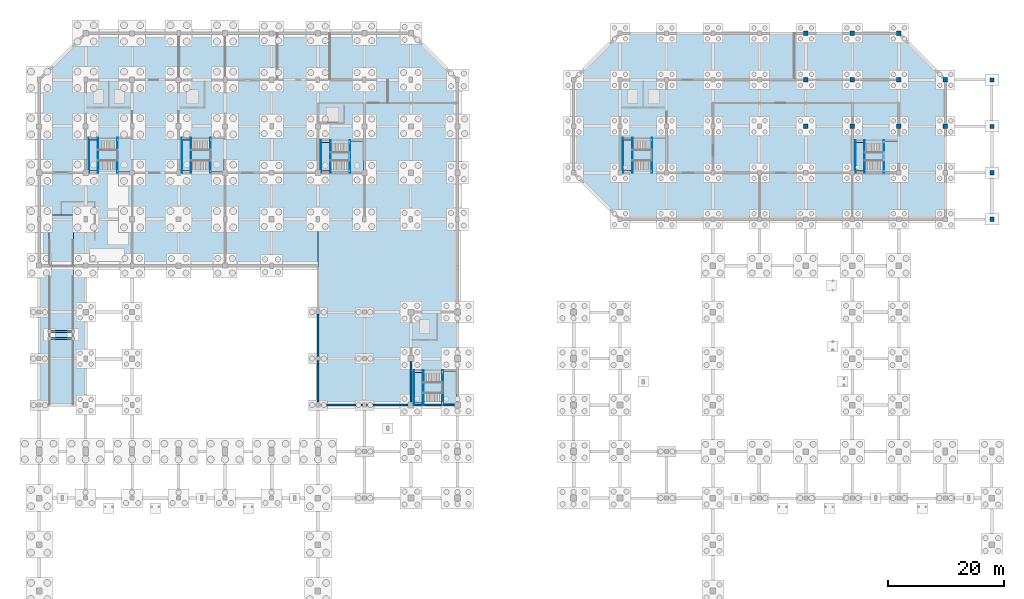
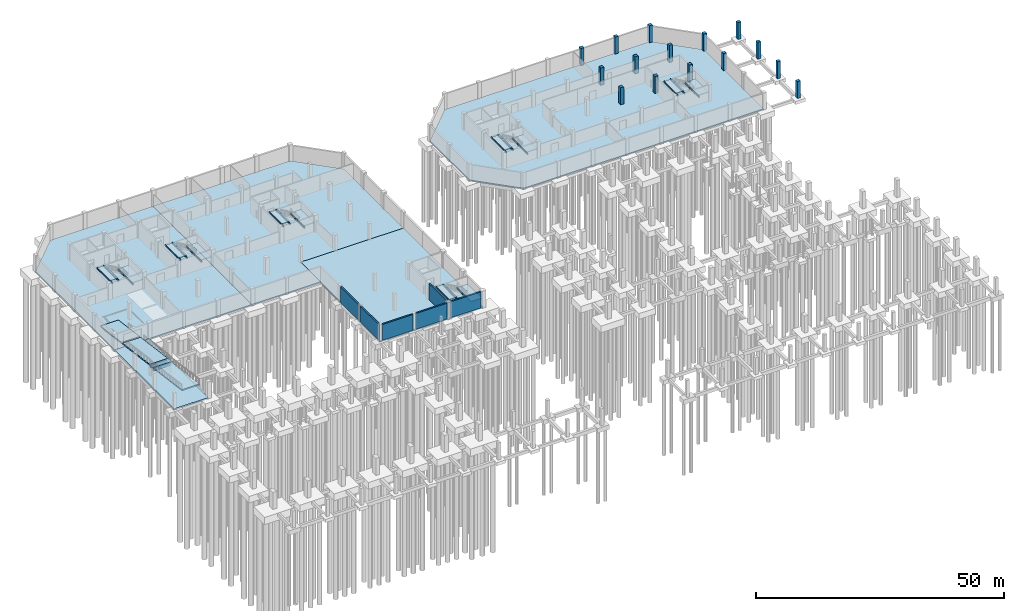
# One storey, part 21 of 32: 21 slabs, 20 beams, 15 columns, 6 walls, 7 elements without a shape of their own.
"""IFC4 building model written with IfcOpenShell, lengths in metres."""

from ifc_helpers import new_model, si_unit, direction, frame, frame_2d, origin, origin_2d, place, context, subcontext, project, spatial, polyline, rectangle, i_section, outline, extrude, material, layer, layer_set, material_profile, profile_set, type_object, element, aggregate, save


model = new_model("IFC4")

# Units and contexts
model_context = context("Model", 3, precision=1e-05, world=origin(), true_north=direction((0.0, 1.0)))
body_context = subcontext(model_context, "Body", "Model", "MODEL_VIEW")
ifc_project = project(units=[si_unit("LENGTHUNIT", "METRE"), si_unit("AREAUNIT", "SQUARE_METRE"), si_unit("VOLUMEUNIT", "CUBIC_METRE"), si_unit("PLANEANGLEUNIT", "RADIAN"), si_unit("MASSUNIT", "GRAM", prefix="KILO")], contexts=[model_context])

# Site, building, storey
site_placement = place(None, origin())
site = spatial("IfcSite", under=ifc_project, at=site_placement, CompositionType="ELEMENT")
building_placement = place(site_placement, origin())
building = spatial("IfcBuilding", under=site, at=building_placement, Name="Tenunan Teduh Sports Hall", CompositionType="ELEMENT")
storey_placement = place(building_placement, frame((0.0, 0.0, -4.199951171875)))
storey = spatial("IfcBuildingStorey", under=building, at=storey_placement, Name="B1", CompositionType="ELEMENT", Elevation=-4.199951171875)

# Columns
ifc_material_1 = material(Name="Concrete C40/50", Category="concrete")
ifc_material_profile_1 = material_profile(ifc_material_1, rectangle(XDim=0.699951171875, YDim=0.699951171875, at=origin_2d()), Name="RC 700x700")
ifc_profile_set_1 = profile_set([ifc_material_profile_1], Name="Concrete C40/50")
column_type_1 = type_object("IfcColumnType", Name="COL-RC-700", PredefinedType="COLUMN", material=ifc_profile_set_1)
for number, where, z_axis, x_axis, name in (
    (1, (170.0, 86.0, 0.0), (0.0, 0.0, 1.0), (1.0, 0.0, 0.0), "COL-C-07-B1-226"),
    (2, (170.0, 94.0, 0.0), (0.0, 0.0, 1.0), (1.0, 0.0, 0.0), "COL-C-07-B1-227"),
    (3, (170.0, 102.0, 0.0), (0.0, 0.0, 1.0), (1.0, 0.0, 0.0), "COL-C-07-B1-228"),
    (4, (170.0, 110.0, 0.0), (0.0, 0.0, 1.0), (1.0, 0.0, 0.0), "COL-C-07-B1-229"),
):
    element("IfcColumn", number, at=place(storey_placement, frame(where, z_axis=z_axis, x_axis=x_axis)), inside=storey, type_object=column_type_1, Name=name, PredefinedType="COLUMN", context=body_context, shape_type="SweptSolid", body=[
        extrude(rectangle(XDim=0.699951171875, YDim=0.699951171875, at=origin_2d()), origin(), (0.0, 0.0, 1.0), 4.199951171875),
    ])
ifc_material_2 = material(Name="Concrete C40/50", Category="concrete")
ifc_material_profile_2 = material_profile(ifc_material_2, rectangle(XDim=0.75, YDim=0.75, at=origin_2d()), Name="RC 750x750")
ifc_profile_set_2 = profile_set([ifc_material_profile_2], Name="Concrete C40/50")
column_type_2 = type_object("IfcColumnType", Name="COL-RC-750", PredefinedType="COLUMN", material=ifc_profile_set_2)
for number, where, z_axis, x_axis, name in (
    (5, (138.0, 102.0, 0.0), (0.0, 0.0, 1.0), (1.0, 0.0, 0.0), "COL-C-06-B1-183"),
    (6, (138.0, 110.0, 0.0), (0.0, 0.0, 1.0), (1.0, 0.0, 0.0), "COL-C-06-B1-184"),
    (7, (138.0, 118.0, 0.0), (0.0, 0.0, 1.0), (1.0, 0.0, 0.0), "COL-C-06-B1-185"),
    (8, (146.0, 102.0, 0.0), (0.0, 0.0, 1.0), (1.0, 0.0, 0.0), "COL-C-06-B1-196"),
    (9, (146.0, 110.0, 0.0), (0.0, 0.0, 1.0), (1.0, 0.0, 0.0), "COL-C-06-B1-197"),
    (10, (146.0, 118.0, 0.0), (0.0, 0.0, 1.0), (1.0, 0.0, 0.0), "COL-C-06-B1-198"),
    (11, (154.0, 102.0, 0.0), (0.0, 0.0, 1.0), (1.0, 0.0, 0.0), "COL-C-06-B1-209"),
    (12, (154.0, 110.0, 0.0), (0.0, 0.0, 1.0), (1.0, 0.0, 0.0), "COL-C-06-B1-210"),
    (13, (154.0, 118.0, 0.0), (0.0, 0.0, 1.0), (1.0, 0.0, 0.0), "COL-C-06-B1-211"),
    (14, (162.0, 102.0, 0.0), (0.0, 0.0, 1.0), (1.0, 0.0, 0.0), "COL-C-06-B1-218"),
    (15, (162.0, 110.0, 0.0), (0.0, 0.0, 1.0), (1.0, 0.0, 0.0), "COL-C-06-B1-219"),
):
    element("IfcColumn", number, at=place(storey_placement, frame(where, z_axis=z_axis, x_axis=x_axis)), inside=storey, type_object=column_type_2, Name=name, PredefinedType="COLUMN", context=body_context, shape_type="SweptSolid", body=[
        extrude(rectangle(XDim=0.75, YDim=0.75, at=origin_2d()), origin(), (0.0, 0.0, 1.0), 4.199951171875),
    ])

# Beams
ifc_material_3 = material(Name="Concrete C40/50", Category="concrete")
ifc_material_profile_3 = material_profile(ifc_material_3, rectangle(XDim=0.35009765625, YDim=0.60009765625, at=origin_2d()), Name="RCB 350x600")
ifc_profile_set_3 = profile_set([ifc_material_profile_3], Name="Concrete C40/50")
beam_type_1 = type_object("IfcBeamType", Name="BM-RC-350x600", PredefinedType="BEAM", material=ifc_profile_set_3)
for number, where, z_axis, x_axis, name in (
    (16, (7.800048828125, 65.5, 2.18994140625), (1.0, 0.0, 0.0), (0.0, 1.0, 0.0), "BM-B-04-VRMP-655"),
    (17, (7.800048828125, 66.699951171875, 2.18994140625), (1.0, 0.0, 0.0), (0.0, 1.0, 0.0), "BM-B-04-VRMP-667"),
):
    element("IfcBeam", number, at=place(storey_placement, frame(where, z_axis=z_axis, x_axis=x_axis)), inside=storey, type_object=beam_type_1, Name=name, PredefinedType="BEAM", context=body_context, shape_type="SweptSolid", body=[
        extrude(rectangle(XDim=0.35009765625, YDim=0.60009765625, at=origin_2d()), origin(), (0.0, 0.0, 1.0), 4.0),
    ])
ifc_material_4 = material(Name="Steel S355", Category="steel")
ifc_material_profile_4 = material_profile(ifc_material_4, i_section(OverallWidth=0.090087890625, OverallDepth=0.260009765625, WebThickness=0.008056640625, FlangeThickness=0.013916015625, FilletRadius=0.011962890625, at=origin_2d()), Name="PFC 260x90")
ifc_profile_set_4 = profile_set([ifc_material_profile_4], Name="Steel S355")
beam_type_2 = type_object("IfcBeamType", Name="STR-BM-TRIM", PredefinedType="BEAM", material=ifc_profile_set_4)
for number, where, z_axis, x_axis, name in (
    (18, (19.47998046875, 94.0, 1.77001953125), (0.0, 1.0, 0.0), (-1.0, 0.0, 0.0), "BM-SS-02-W1-B1-M"),
    (19, (16.1201171875, 94.0, 3.869873046875), (0.0, 1.0, 0.0), (-1.0, 0.0, 0.0), "BM-SS-02-W1-B1-T"),
    (20, (14.550048828125, 94.0, 3.869873046875), (0.0, 1.0, 0.0), (-1.0, 0.0, 0.0), "BM-SS-02-W1-B1-TW"),
    (21, (35.47998046875, 94.0, 1.77001953125), (0.0, 1.0, 0.0), (-1.0, 0.0, 0.0), "BM-SS-02-W2-B1-M"),
    (22, (32.1201171875, 94.0, 3.869873046875), (0.0, 1.0, 0.0), (-1.0, 0.0, 0.0), "BM-SS-02-W2-B1-T"),
    (23, (30.550048828125, 94.0, 3.869873046875), (0.0, 1.0, 0.0), (-1.0, 0.0, 0.0), "BM-SS-02-W2-B1-TW"),
):
    element("IfcBeam", number, at=place(storey_placement, frame(where, z_axis=z_axis, x_axis=x_axis)), inside=storey, type_object=beam_type_2, Name=name, PredefinedType="BEAM", context=body_context, shape_type="SweptSolid", body=[
        extrude(i_section(OverallWidth=0.090087890625, OverallDepth=0.260009765625, WebThickness=0.008056640625, FlangeThickness=0.013916015625, FilletRadius=0.011962890625, at=origin_2d()), origin(), (0.0, 0.0, 1.0), 6.0),
    ])
for number, where, z_axis, x_axis, name in (
    (24, (59.47998046875, 94.0, 1.77001953125), (0.0, 1.0, 0.0), (-1.0, 0.0, 0.0), "BM-SS-02-W3-B1-M"),
    (25, (56.1201171875, 94.0, 3.869873046875), (0.0, 1.0, 0.0), (-1.0, 0.0, 0.0), "BM-SS-02-W3-B1-T"),
    (26, (54.550048828125, 94.0, 3.869873046875), (0.0, 1.0, 0.0), (-1.0, 0.0, 0.0), "BM-SS-02-W3-B1-TW"),
):
    element("IfcBeam", number, at=place(storey_placement, frame(where, z_axis=z_axis, x_axis=x_axis)), inside=storey, type_object=beam_type_2, Name=name, PredefinedType="BEAM", context=body_context, shape_type="SweptSolid", body=[
        extrude(i_section(OverallWidth=0.090087890625, OverallDepth=0.260009765625, WebThickness=0.008056640625, FlangeThickness=0.013916015625, FilletRadius=0.011962890625, at=origin_2d()), origin(), (0.0, 0.0, 1.0), 5.60009765625),
    ])
for number, where, z_axis, x_axis, name in (
    (27, (111.47998046875, 94.0, 1.77001953125), (0.0, 1.0, 0.0), (-1.0, 0.0, 0.0), "BM-SS-02-E1-B1-M"),
    (28, (108.1201171875, 94.0, 3.869873046875), (0.0, 1.0, 0.0), (-1.0, 0.0, 0.0), "BM-SS-02-E1-B1-T"),
    (29, (106.550048828125, 94.0, 3.869873046875), (0.0, 1.0, 0.0), (-1.0, 0.0, 0.0), "BM-SS-02-E1-B1-TW"),
):
    element("IfcBeam", number, at=place(storey_placement, frame(where, z_axis=z_axis, x_axis=x_axis)), inside=storey, type_object=beam_type_2, Name=name, PredefinedType="BEAM", context=body_context, shape_type="SweptSolid", body=[
        extrude(i_section(OverallWidth=0.090087890625, OverallDepth=0.260009765625, WebThickness=0.008056640625, FlangeThickness=0.013916015625, FilletRadius=0.011962890625, at=origin_2d()), origin(), (0.0, 0.0, 1.0), 6.0),
    ])
for number, where, z_axis, x_axis, name in (
    (30, (151.47998046875, 94.0, 1.77001953125), (0.0, 1.0, 0.0), (-1.0, 0.0, 0.0), "BM-SS-02-E2-B1-M"),
    (31, (148.1201171875, 94.0, 3.869873046875), (0.0, 1.0, 0.0), (-1.0, 0.0, 0.0), "BM-SS-02-E2-B1-T"),
    (32, (146.550048828125, 94.0, 3.869873046875), (0.0, 1.0, 0.0), (-1.0, 0.0, 0.0), "BM-SS-02-E2-B1-TW"),
):
    element("IfcBeam", number, at=place(storey_placement, frame(where, z_axis=z_axis, x_axis=x_axis)), inside=storey, type_object=beam_type_2, Name=name, PredefinedType="BEAM", context=body_context, shape_type="SweptSolid", body=[
        extrude(i_section(OverallWidth=0.090087890625, OverallDepth=0.260009765625, WebThickness=0.008056640625, FlangeThickness=0.013916015625, FilletRadius=0.011962890625, at=origin_2d()), origin(), (0.0, 0.0, 1.0), 5.60009765625),
    ])
for number, where, z_axis, x_axis, name in (
    (33, (75.47998046875, 54.0, 1.77001953125), (0.0, 1.0, 0.0), (-1.0, 0.0, 0.0), "BM-SS-02-C1-B1-M"),
    (34, (72.1201171875, 54.0, 3.869873046875), (0.0, 1.0, 0.0), (-1.0, 0.0, 0.0), "BM-SS-02-C1-B1-T"),
    (35, (70.550048828125, 54.0, 3.869873046875), (0.0, 1.0, 0.0), (-1.0, 0.0, 0.0), "BM-SS-02-C1-B1-TW"),
):
    element("IfcBeam", number, at=place(storey_placement, frame(where, z_axis=z_axis, x_axis=x_axis)), inside=storey, type_object=beam_type_2, Name=name, PredefinedType="BEAM", context=body_context, shape_type="SweptSolid", body=[
        extrude(i_section(OverallWidth=0.090087890625, OverallDepth=0.260009765625, WebThickness=0.008056640625, FlangeThickness=0.013916015625, FilletRadius=0.011962890625, at=origin_2d()), origin(), (0.0, 0.0, 1.0), 6.0),
    ])

# Slabs
ifc_material_5 = material(Name="Concrete C40/50", Category="concrete")
ifc_layer_1 = layer(ifc_material_5, 0.35009765625)
ifc_layer_set_1 = layer_set([ifc_layer_1], Name="Concrete C40/50")
slab_type_1 = type_object("IfcSlabType", Name="SLB-BASE-350", PredefinedType="BASESLAB", material=ifc_layer_set_1)
slab_1_placement = place(storey_placement, frame((0.0, 0.0, -0.35009765625)))
element("IfcSlab", 36, at=slab_1_placement, inside=storey, type_object=slab_type_1, Name="BS-C1", PredefinedType="BASESLAB", context=body_context, shape_type="SweptSolid", body=[
    extrude(outline(polyline([(54.0, 54.0), (78.0, 54.0), (78.0, 86.0), (54.0, 86.0), (54.0, 54.0)])), origin(), (0.0, 0.0, 1.0), 0.35009765625),
])
slab_2_placement = place(storey_placement, frame((0.0, 0.0, -0.35009765625)))
element("IfcSlab", 37, at=slab_2_placement, inside=storey, type_object=slab_type_1, Name="BS-E1", PredefinedType="BASESLAB", context=body_context, shape_type="SweptSolid", body=[
    extrude(outline(polyline([(106.0, 86.0), (162.0, 86.0), (162.0, 110.0), (154.0, 118.0), (106.0, 118.0), (98.0, 110.0), (98.0, 94.0), (106.0, 86.0)])), origin(), (0.0, 0.0, 1.0), 0.35009765625),
])
slab_3_placement = place(storey_placement, frame((0.0, 0.0, -0.35009765625)))
element("IfcSlab", 38, at=slab_3_placement, inside=storey, type_object=slab_type_1, Name="BS-RMP", PredefinedType="BASESLAB", context=body_context, shape_type="SweptSolid", body=[
    extrude(outline(polyline([(6.0, 54.0), (14.0, 54.0), (14.0, 78.0), (6.0, 78.0), (6.0, 54.0)])), origin(), (0.0, 0.0, 1.0), 0.35009765625),
])
ifc_material_6 = material(Name="Concrete C40/50", Category="concrete")
ifc_layer_2 = layer(ifc_material_6, 0.39990234375)
ifc_layer_set_2 = layer_set([ifc_layer_2], Name="Concrete C40/50")
slab_type_2 = type_object("IfcSlabType", Name="SLB-BASE-400", PredefinedType="BASESLAB", material=ifc_layer_set_2)
slab_4_placement = place(storey_placement, frame((0.0, 0.0, -0.400146484375)))
element("IfcSlab", 39, at=slab_4_placement, inside=storey, type_object=slab_type_2, Name="BS-W1", PredefinedType="BASESLAB", context=body_context, shape_type="SweptSolid", body=[
    extrude(outline(polyline([(6.0, 78.0), (38.0, 78.0), (38.0, 118.0), (14.0, 118.0), (6.0, 110.0), (6.0, 78.0)])), origin(), (0.0, 0.0, 1.0), 0.400146484375),
])
slab_5_placement = place(storey_placement, frame((0.0, 0.0, -0.400146484375)))
element("IfcSlab", 40, at=slab_5_placement, inside=storey, type_object=slab_type_2, Name="BS-W2", PredefinedType="BASESLAB", context=body_context, shape_type="SweptSolid", body=[
    extrude(outline(polyline([(38.0, 78.0), (54.0, 78.0), (54.0, 86.0), (78.0, 86.0), (78.0, 110.0), (70.0, 118.0), (38.0, 118.0), (38.0, 78.0)])), origin(), (0.0, 0.0, 1.0), 0.400146484375),
])

# Stair, slabs
ifc_material_7 = material(Name="Precast concrete C40/50", Category="concrete")
stair_type = type_object("IfcStairType", Name="STR-B1-ESC", PredefinedType="HALF_TURN_STAIR", material=ifc_material_7)
stair_1_placement = place(storey_placement, origin())
stair_1 = element("IfcStair", 41, at=stair_1_placement, inside=storey, type_object=stair_type, Name="STR-W1-B1", PredefinedType="HALF_TURN_STAIR")
ifc_material_8 = material(Name="Precast concrete C40/50", Category="concrete")
ifc_layer_3 = layer(ifc_material_8, 0.199951171875)
ifc_layer_set_3 = layer_set([ifc_layer_3], Name="Precast concrete C40/50")
slab_type_3 = type_object("IfcSlabType", Name="SLB-LND-200", PredefinedType="LANDING", material=ifc_layer_set_3)
slab_6_placement = place(storey_placement, frame((0.0, 0.0, 1.89990234375)))
slab_6 = element("IfcSlab", 42, at=slab_6_placement, type_object=slab_type_3, Name="ST-01 landing 1", PredefinedType="LANDING", context=body_context, shape_type="SweptSolid", body=[
    extrude(outline(polyline([(19.39990234375, 94.139892578125), (21.860107421875, 94.139892578125), (21.860107421875, 99.89990234375), (19.39990234375, 99.89990234375), (19.39990234375, 94.139892578125)])), origin(), (0.0, 0.0, 1.0), 0.199951171875),
])
slab_7_placement = place(storey_placement, frame((0.0, 0.0, 4.0)))
slab_7 = element("IfcSlab", 43, at=slab_7_placement, type_object=slab_type_3, Name="ST-01 landing 2", PredefinedType="LANDING", context=body_context, shape_type="SweptSolid", body=[
    extrude(outline(polyline([(14.39990234375, 94.39990234375), (16.280029296875, 94.39990234375), (16.280029296875, 99.60009765625), (14.39990234375, 99.60009765625), (14.39990234375, 94.39990234375)])), origin(), (0.0, 0.0, 1.0), 0.199951171875),
])
aggregate(stair_1, [slab_6, slab_7])

stair_2_placement = place(storey_placement, origin())
stair_2 = element("IfcStair", 44, at=stair_2_placement, inside=storey, type_object=stair_type, Name="STR-W2-B1", PredefinedType="HALF_TURN_STAIR")
slab_8_placement = place(storey_placement, frame((0.0, 0.0, 1.89990234375)))
slab_8 = element("IfcSlab", 45, at=slab_8_placement, type_object=slab_type_3, Name="ST-06 landing 1", PredefinedType="LANDING", context=body_context, shape_type="SweptSolid", body=[
    extrude(outline(polyline([(35.39990234375, 94.139892578125), (37.860107421875, 94.139892578125), (37.860107421875, 99.89990234375), (35.39990234375, 99.89990234375), (35.39990234375, 94.139892578125)])), origin(), (0.0, 0.0, 1.0), 0.199951171875),
])
slab_9_placement = place(storey_placement, frame((0.0, 0.0, 4.0)))
slab_9 = element("IfcSlab", 46, at=slab_9_placement, type_object=slab_type_3, Name="ST-06 landing 2", PredefinedType="LANDING", context=body_context, shape_type="SweptSolid", body=[
    extrude(outline(polyline([(30.39990234375, 94.39990234375), (32.280029296875, 94.39990234375), (32.280029296875, 99.60009765625), (30.39990234375, 99.60009765625), (30.39990234375, 94.39990234375)])), origin(), (0.0, 0.0, 1.0), 0.199951171875),
])
aggregate(stair_2, [slab_8, slab_9])

stair_3_placement = place(storey_placement, origin())
stair_3 = element("IfcStair", 47, at=stair_3_placement, inside=storey, type_object=stair_type, Name="STR-W3-B1", PredefinedType="HALF_TURN_STAIR")
slab_10_placement = place(storey_placement, frame((0.0, 0.0, 1.89990234375)))
slab_10 = element("IfcSlab", 48, at=slab_10_placement, type_object=slab_type_3, Name="ST-11 landing 1", PredefinedType="LANDING", context=body_context, shape_type="SweptSolid", body=[
    extrude(outline(polyline([(59.39990234375, 94.139892578125), (61.860107421875, 94.139892578125), (61.860107421875, 99.5), (59.39990234375, 99.5), (59.39990234375, 94.139892578125)])), origin(), (0.0, 0.0, 1.0), 0.199951171875),
])
slab_11_placement = place(storey_placement, frame((0.0, 0.0, 4.0)))
slab_11 = element("IfcSlab", 49, at=slab_11_placement, type_object=slab_type_3, Name="ST-11 landing 2", PredefinedType="LANDING", context=body_context, shape_type="SweptSolid", body=[
    extrude(outline(polyline([(54.39990234375, 94.39990234375), (56.280029296875, 94.39990234375), (56.280029296875, 99.199951171875), (54.39990234375, 99.199951171875), (54.39990234375, 94.39990234375)])), origin(), (0.0, 0.0, 1.0), 0.199951171875),
])
aggregate(stair_3, [slab_10, slab_11])

stair_4_placement = place(storey_placement, origin())
stair_4 = element("IfcStair", 50, at=stair_4_placement, inside=storey, type_object=stair_type, Name="STR-E1-B1", PredefinedType="HALF_TURN_STAIR")
slab_12_placement = place(storey_placement, frame((0.0, 0.0, 1.89990234375)))
slab_12 = element("IfcSlab", 51, at=slab_12_placement, type_object=slab_type_3, Name="ST-15 landing 1", PredefinedType="LANDING", context=body_context, shape_type="SweptSolid", body=[
    extrude(outline(polyline([(111.39990234375, 94.139892578125), (113.860107421875, 94.139892578125), (113.860107421875, 99.89990234375), (111.39990234375, 99.89990234375), (111.39990234375, 94.139892578125)])), origin(), (0.0, 0.0, 1.0), 0.199951171875),
])
slab_13_placement = place(storey_placement, frame((0.0, 0.0, 4.0)))
slab_13 = element("IfcSlab", 52, at=slab_13_placement, type_object=slab_type_3, Name="ST-15 landing 2", PredefinedType="LANDING", context=body_context, shape_type="SweptSolid", body=[
    extrude(outline(polyline([(106.39990234375, 94.39990234375), (108.280029296875, 94.39990234375), (108.280029296875, 99.60009765625), (106.39990234375, 99.60009765625), (106.39990234375, 94.39990234375)])), origin(), (0.0, 0.0, 1.0), 0.199951171875),
])
aggregate(stair_4, [slab_12, slab_13])

stair_5_placement = place(storey_placement, origin())
stair_5 = element("IfcStair", 53, at=stair_5_placement, inside=storey, type_object=stair_type, Name="STR-E2-B1", PredefinedType="HALF_TURN_STAIR")
slab_14_placement = place(storey_placement, frame((0.0, 0.0, 1.89990234375)))
slab_14 = element("IfcSlab", 54, at=slab_14_placement, type_object=slab_type_3, Name="ST-18 landing 1", PredefinedType="LANDING", context=body_context, shape_type="SweptSolid", body=[
    extrude(outline(polyline([(151.39990234375, 94.139892578125), (153.860107421875, 94.139892578125), (153.860107421875, 99.5), (151.39990234375, 99.5), (151.39990234375, 94.139892578125)])), origin(), (0.0, 0.0, 1.0), 0.199951171875),
])
slab_15_placement = place(storey_placement, frame((0.0, 0.0, 4.0)))
slab_15 = element("IfcSlab", 55, at=slab_15_placement, type_object=slab_type_3, Name="ST-18 landing 2", PredefinedType="LANDING", context=body_context, shape_type="SweptSolid", body=[
    extrude(outline(polyline([(146.39990234375, 94.39990234375), (148.280029296875, 94.39990234375), (148.280029296875, 99.199951171875), (146.39990234375, 99.199951171875), (146.39990234375, 94.39990234375)])), origin(), (0.0, 0.0, 1.0), 0.199951171875),
])
aggregate(stair_5, [slab_14, slab_15])

stair_6_placement = place(storey_placement, origin())
stair_6 = element("IfcStair", 56, at=stair_6_placement, inside=storey, type_object=stair_type, Name="STR-C1-B1", PredefinedType="HALF_TURN_STAIR")
slab_16_placement = place(storey_placement, frame((0.0, 0.0, 1.89990234375)))
slab_16 = element("IfcSlab", 57, at=slab_16_placement, type_object=slab_type_3, Name="ST-21 landing 1", PredefinedType="LANDING", context=body_context, shape_type="SweptSolid", body=[
    extrude(outline(polyline([(75.39990234375, 54.139892578125), (77.860107421875, 54.139892578125), (77.860107421875, 59.89990234375), (75.39990234375, 59.89990234375), (75.39990234375, 54.139892578125)])), origin(), (0.0, 0.0, 1.0), 0.199951171875),
])
slab_17_placement = place(storey_placement, frame((0.0, 0.0, 4.0)))
slab_17 = element("IfcSlab", 58, at=slab_17_placement, type_object=slab_type_3, Name="ST-21 landing 2", PredefinedType="LANDING", context=body_context, shape_type="SweptSolid", body=[
    extrude(outline(polyline([(70.39990234375, 54.39990234375), (72.280029296875, 54.39990234375), (72.280029296875, 59.60009765625), (70.39990234375, 59.60009765625), (70.39990234375, 54.39990234375)])), origin(), (0.0, 0.0, 1.0), 0.199951171875),
])
aggregate(stair_6, [slab_16, slab_17])

# Assembly, slabs
ifc_material_9 = material(Name="Concrete C40/50", Category="concrete")
element_assembly_type = type_object("IfcElementAssemblyType", Name="RMP-VEH-B1", PredefinedType="USERDEFINED", material=ifc_material_9)
assembly_placement = place(storey_placement, origin())
assembly = element("IfcElementAssembly", 59, at=assembly_placement, inside=storey, type_object=element_assembly_type, Name="Basement Service Vehicle Two-Flight Ramp", ObjectType="VEHICLE_RAMP", PredefinedType="USERDEFINED")
slab_18_placement = place(storey_placement, frame((0.0, 0.0, 2.4599609375)))
slab_18 = element("IfcSlab", 60, at=slab_18_placement, type_object=slab_type_3, Name="RMP-B1-VEH-LND", PredefinedType="LANDING", context=body_context, shape_type="SweptSolid", body=[
    extrude(outline(polyline([(7.60009765625, 65.39990234375), (12.0, 65.39990234375), (12.0, 66.800048828125), (7.60009765625, 66.800048828125), (7.60009765625, 65.39990234375)])), origin(), (0.0, 0.0, 1.0), 0.199951171875),
])
ifc_material_10 = material(Name="Concrete C40/50", Category="concrete")
ifc_layer_4 = layer(ifc_material_10, 0.280029296875)
ifc_layer_set_4 = layer_set([ifc_layer_4], Name="Concrete C40/50")
slab_type_4 = type_object("IfcSlabType", Name="SLB-RMP-F1", PredefinedType="USERDEFINED", material=ifc_layer_set_4)
slab_19_placement = place(storey_placement, frame((7.699951171875, 53.85009765625, 4.199951171875), z_axis=(0.0, 0.132169209862, 0.991227168698), x_axis=(1.0, 0.0, 0.0)))
slab_19 = element("IfcSlab", 61, at=slab_19_placement, type_object=slab_type_4, Name="Basement Vehicle Ramp Slab 1", ObjectType="VEHICLE RAMP", PredefinedType="USERDEFINED", context=body_context, shape_type="SweptSolid", body=[
    extrude(outline(polyline([(0.0, 0.0), (4.199951171875, 0.0), (4.199951171875, 11.652025945449267), (0.0, 11.652025945449267), (0.0, 0.0)])), origin(), (0.0, 0.0, -1.0), 0.280029296875),
])
ifc_material_11 = material(Name="Concrete C40/50", Category="concrete")
ifc_layer_5 = layer(ifc_material_11, 0.280029296875)
ifc_layer_set_5 = layer_set([ifc_layer_5], Name="Concrete C40/50")
slab_type_5 = type_object("IfcSlabType", Name="SLB-RMP-F2", PredefinedType="USERDEFINED", material=ifc_layer_set_5)
slab_20_placement = place(storey_placement, frame((7.699951171875, 66.800048828125, 2.659912109375), z_axis=(0.0, 0.132153632776, 0.991229245606), x_axis=(1.0, 0.0, 0.0)))
slab_20 = element("IfcSlab", 62, at=slab_20_placement, type_object=slab_type_5, Name="Basement Vehicle Ramp Slab 2", ObjectType="VEHICLE RAMP", PredefinedType="USERDEFINED", context=body_context, shape_type="SweptSolid", body=[
    extrude(outline(polyline([(0.0, 0.0), (4.199951171875, 0.0), (4.199951171875, 11.09733197316827), (0.0, 11.09733197316827), (0.0, 0.0)])), origin(), (0.0, 0.0, -1.0), 0.280029296875),
])
ifc_material_12 = material(Name="Concrete C40/50", Category="concrete")
ifc_layer_6 = layer(ifc_material_12, 0.280029296875)
ifc_layer_set_6 = layer_set([ifc_layer_6], Name="Concrete C40/50")
slab_type_6 = type_object("IfcSlabType", Name="SLB-RMP-F3", PredefinedType="USERDEFINED", material=ifc_layer_set_6)
slab_21_placement = place(storey_placement, frame((7.699951171875, 78.199951171875, 1.139892578125), z_axis=(0.0, 0.132150742325, 0.991229630965), x_axis=(1.0, 0.0, 0.0)))
slab_21 = element("IfcSlab", 63, at=slab_21_placement, type_object=slab_type_6, Name="Basement Vehicle Ramp Slab 3", ObjectType="VEHICLE RAMP", PredefinedType="USERDEFINED", context=body_context, shape_type="SweptSolid", body=[
    extrude(outline(polyline([(0.0, 0.0), (4.199951171875, 0.0), (4.199951171875, 8.6256993950048), (0.0, 8.6256993950048), (0.0, 0.0)])), origin(), (0.0, 0.0, -1.0), 0.280029296875),
])
aggregate(assembly, [slab_19, slab_18, slab_20, slab_21])

# Walls
ifc_material_13 = material(Name="Concrete C40/50", Category="concrete")
ifc_layer_7 = layer(ifc_material_13, 0.35009765625)
ifc_layer_set_7 = layer_set([ifc_layer_7], Name="Concrete C40/50")
wall_type_1 = type_object("IfcWallType", Name="WL-RET-350", PredefinedType="USERDEFINED", material=ifc_layer_set_7)
wall_1_placement = place(storey_placement, frame((54.530029296875, 54.0, 0.0), z_axis=(0.0, 0.0, 1.0), x_axis=(1.0, 0.0, 0.0)))
element("IfcWall", 64, at=wall_1_placement, inside=storey, type_object=wall_type_1, Name="WL-EXT-B1-023", ObjectType="RETAINING WALL", PredefinedType="USERDEFINED", context=body_context, shape_type="SweptSolid", body=[
    extrude(rectangle(XDim=7.119873046875, YDim=0.35009765625, at=frame_2d((3.56005859375, 0.0))), origin(), (0.0, 0.0, 1.0), 3.919921875),
])
wall_2_placement = place(storey_placement, frame((62.35009765625, 54.0, 0.0), z_axis=(0.0, 0.0, 1.0), x_axis=(1.0, 0.0, 0.0)))
element("IfcWall", 65, at=wall_2_placement, inside=storey, type_object=wall_type_1, Name="WL-EXT-B1-024", ObjectType="RETAINING WALL", PredefinedType="USERDEFINED", context=body_context, shape_type="SweptSolid", body=[
    extrude(rectangle(XDim=7.14990234375, YDim=0.35009765625, at=frame_2d((3.574951171875, 0.0))), origin(), (0.0, 0.0, 1.0), 3.919921875),
])
wall_3_placement = place(storey_placement, frame((54.0, 54.530029296875, 0.0), z_axis=(0.0, 0.0, 1.0), x_axis=(0.0, 1.0, 0.0)))
element("IfcWall", 66, at=wall_3_placement, inside=storey, type_object=wall_type_1, Name="WL-EXT-B1-025", ObjectType="RETAINING WALL", PredefinedType="USERDEFINED", context=body_context, shape_type="SweptSolid", body=[
    extrude(rectangle(XDim=7.119873046875, YDim=0.35009765625, at=frame_2d((3.56005859375, 0.0))), origin(), (0.0, 0.0, 1.0), 3.919921875),
])
wall_4_placement = place(storey_placement, frame((54.0, 62.35009765625, 0.0), z_axis=(0.0, 0.0, 1.0), x_axis=(0.0, 1.0, 0.0)))
element("IfcWall", 67, at=wall_4_placement, inside=storey, type_object=wall_type_1, Name="WL-EXT-B1-026", ObjectType="RETAINING WALL", PredefinedType="USERDEFINED", context=body_context, shape_type="SweptSolid", body=[
    extrude(rectangle(XDim=7.2998046875, YDim=0.35009765625, at=frame_2d((3.64990234375, 0.0))), origin(), (0.0, 0.0, 1.0), 3.919921875),
])
ifc_material_14 = material(Name="Concrete C40/50", Category="concrete")
ifc_layer_8 = layer(ifc_material_14, 0.35009765625)
ifc_layer_set_8 = layer_set([ifc_layer_8], Name="Concrete C40/50")
wall_type_2 = type_object("IfcWallType", Name="WL-SHR-350", PredefinedType="SHEAR", material=ifc_layer_set_8)
for number, where, z_axis, x_axis, name in (
    (68, (70.5, 54.0, 0.0), (0.0, 0.0, 1.0), (1.0, 0.0, 0.0), "WL-COR-B1-218"),
    (69, (70.0, 54.5, 0.0), (0.0, 0.0, 1.0), (0.0, 1.0, 0.0), "WL-COR-B1-220"),
):
    element("IfcWall", number, at=place(storey_placement, frame(where, z_axis=z_axis, x_axis=x_axis)), inside=storey, type_object=wall_type_2, Name=name, PredefinedType="SHEAR", context=body_context, shape_type="SweptSolid", body=[
        extrude(rectangle(XDim=7.0, YDim=0.35009765625, at=frame_2d((3.5, 0.0))), origin(), (0.0, 0.0, 1.0), 3.97998046875),
    ])

save(model, "model.ifc")
